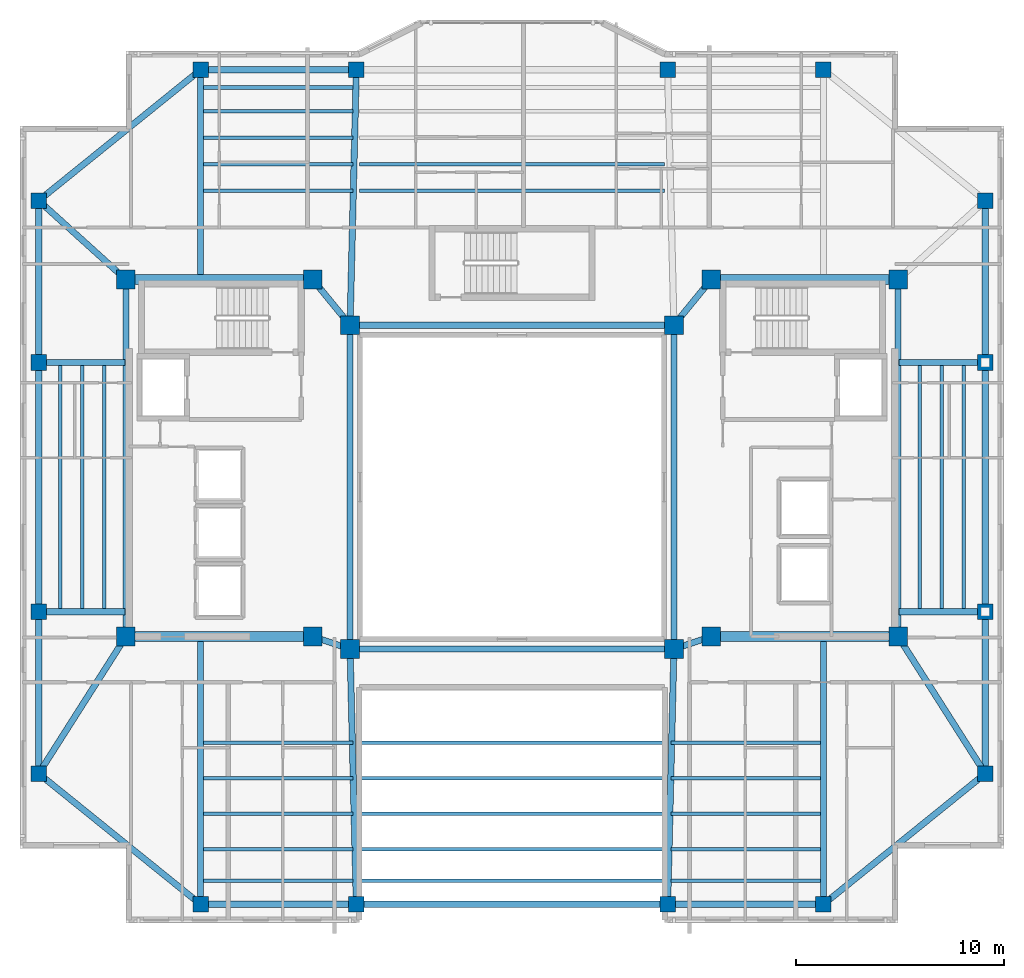
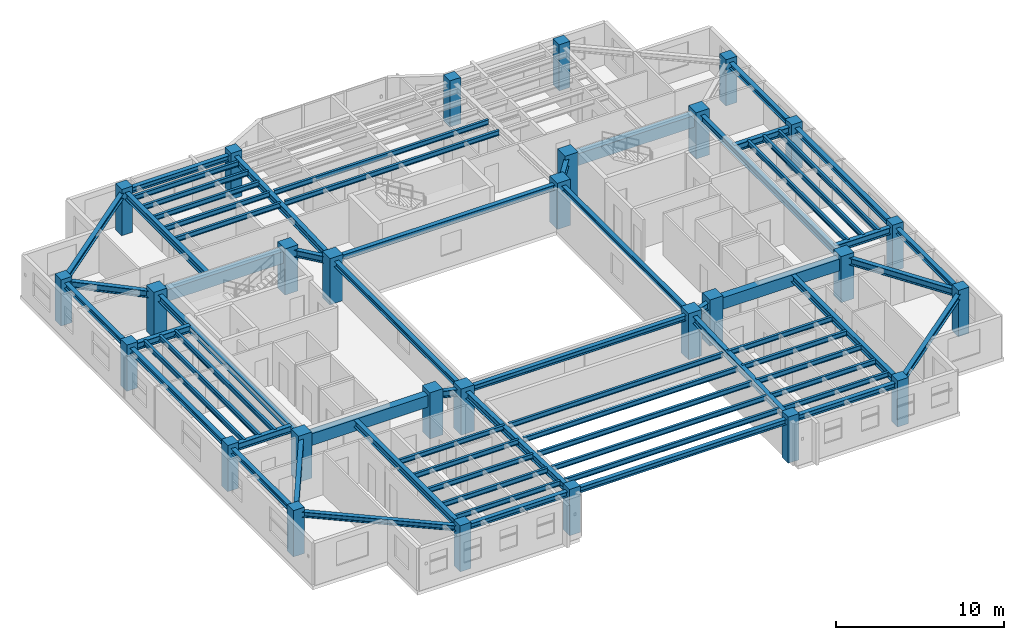
# One storey, part 1 of 13: 68 beams, 28 columns.
"""IFC4 building model written with IfcOpenShell, lengths in metres."""

from ifc_helpers import new_model, si_unit, direction, frame, origin, origin_2d, place, context, subcontext, project, spatial, rectangle, i_section, extrude, material, material_profile, profile_set, type_object, element, save


model = new_model("IFC4")

# Units and contexts
model_context = context("Model", 3, precision=1e-05, world=origin(), true_north=direction((0.0, 1.0)))
body_context = subcontext(model_context, "Body", "Model", "MODEL_VIEW")
ifc_project = project(units=[si_unit("LENGTHUNIT", "METRE"), si_unit("AREAUNIT", "SQUARE_METRE"), si_unit("VOLUMEUNIT", "CUBIC_METRE"), si_unit("PLANEANGLEUNIT", "RADIAN"), si_unit("MASSUNIT", "GRAM", prefix="KILO")], contexts=[model_context])

# Site, building, storey
site_placement = place(None, origin())
site = spatial("IfcSite", under=ifc_project, at=site_placement, CompositionType="ELEMENT")
building_placement = place(site_placement, origin())
building = spatial("IfcBuilding", under=site, at=building_placement, Name="Tarnavaz Court Tower", CompositionType="ELEMENT")
storey_placement = place(building_placement, frame((0.0, 0.0, 223.75)))
storey = spatial("IfcBuildingStorey", under=building, at=storey_placement, Name="L61", CompositionType="ELEMENT", Elevation=223.75)

# Columns
ifc_material_1 = material(Name="Concrete C50/60", Category="concrete")
ifc_material_profile_1 = material_profile(ifc_material_1, rectangle(XDim=0.75, YDim=0.75, at=origin_2d()), Name="RC 750X750")
ifc_profile_set_1 = profile_set([ifc_material_profile_1], Name="Concrete C50/60")
column_type_1 = type_object("IfcColumnType", Name="CL-RC750", PredefinedType="COLUMN", material=ifc_profile_set_1)
for number, where, z_axis, x_axis, name in (
    (1, (-15.0, 20.10009765625, 0.0), (0.0, 0.0, 1.0), (1.0, 0.0, 0.0), "L61 Column PN-1"),
    (2, (-7.5, 20.10009765625, 0.0), (0.0, 0.0, 1.0), (1.0, 0.0, 0.0), "L61 Column PN-2"),
    (3, (7.5, 20.10009765625, 0.0), (0.0, 0.0, 1.0), (1.0, 0.0, 0.0), "L61 Column PN-3"),
    (4, (15.0, 20.10009765625, 0.0), (0.0, 0.0, 1.0), (1.0, 0.0, 0.0), "L61 Column PN-4"),
    (5, (-15.0, -20.10009765625, 0.0), (0.0, 0.0, 1.0), (1.0, 0.0, 0.0), "L61 Column PS-1"),
    (6, (-7.5, -20.10009765625, 0.0), (0.0, 0.0, 1.0), (1.0, 0.0, 0.0), "L61 Column PS-2"),
    (7, (7.5, -20.10009765625, 0.0), (0.0, 0.0, 1.0), (1.0, 0.0, 0.0), "L61 Column PS-3"),
    (8, (15.0, -20.10009765625, 0.0), (0.0, 0.0, 1.0), (1.0, 0.0, 0.0), "L61 Column PS-4"),
    (9, (22.800048828125, -13.800048828125, 0.0), (0.0, 0.0, 1.0), (1.0, 0.0, 0.0), "L61 Column PE-1"),
    (10, (22.800048828125, -6.0, 0.0), (0.0, 0.0, 1.0), (1.0, 0.0, 0.0), "L61 Column PE-2"),
    (11, (22.800048828125, 6.0, 0.0), (0.0, 0.0, 1.0), (1.0, 0.0, 0.0), "L61 Column PE-3"),
    (12, (22.800048828125, 13.800048828125, 0.0), (0.0, 0.0, 1.0), (1.0, 0.0, 0.0), "L61 Column PE-4"),
    (13, (-22.800048828125, -13.800048828125, 0.0), (0.0, 0.0, 1.0), (1.0, 0.0, 0.0), "L61 Column PW-1"),
    (14, (-22.800048828125, -6.0, 0.0), (0.0, 0.0, 1.0), (1.0, 0.0, 0.0), "L61 Column PW-2"),
    (15, (-22.800048828125, 6.0, 0.0), (0.0, 0.0, 1.0), (1.0, 0.0, 0.0), "L61 Column PW-3"),
    (16, (-22.800048828125, 13.800048828125, 0.0), (0.0, 0.0, 1.0), (1.0, 0.0, 0.0), "L61 Column PW-4"),
):
    element("IfcColumn", number, at=place(storey_placement, frame(where, z_axis=z_axis, x_axis=x_axis)), inside=storey, type_object=column_type_1, Name=name, PredefinedType="COLUMN", context=body_context, shape_type="SweptSolid", body=[
        extrude(rectangle(XDim=0.75, YDim=0.75, at=origin_2d()), origin(), (0.0, 0.0, 1.0), 3.35009765625),
    ])
ifc_material_profile_2 = material_profile(ifc_material_1, rectangle(XDim=0.89990234375, YDim=0.89990234375, at=origin_2d()), Name="RC 900X900")
ifc_profile_set_2 = profile_set([ifc_material_profile_2], Name="Concrete C50/60")
column_type_2 = type_object("IfcColumnType", Name="CL-RC900", PredefinedType="COLUMN", material=ifc_profile_set_2)
for number, where, z_axis, x_axis, name in (
    (17, (-7.800048828125, -7.800048828125, 0.0), (0.0, 0.0, 1.0), (1.0, 0.0, 0.0), "L61 Column IW-SW"),
    (18, (7.800048828125, -7.800048828125, 0.0), (0.0, 0.0, 1.0), (1.0, 0.0, 0.0), "L61 Column IW-SE"),
    (19, (-7.800048828125, 7.800048828125, 0.0), (0.0, 0.0, 1.0), (1.0, 0.0, 0.0), "L61 Column IW-NW"),
    (20, (7.800048828125, 7.800048828125, 0.0), (0.0, 0.0, 1.0), (1.0, 0.0, 0.0), "L61 Column IW-NE"),
    (21, (-9.60009765625, -7.199951171875, 0.0), (0.0, 0.0, 1.0), (1.0, 0.0, 0.0), "L61 Column CW-SI"),
    (22, (-9.60009765625, 10.0, 0.0), (0.0, 0.0, 1.0), (1.0, 0.0, 0.0), "L61 Column CW-NI"),
    (23, (9.60009765625, -7.199951171875, 0.0), (0.0, 0.0, 1.0), (1.0, 0.0, 0.0), "L61 Column CE-SI"),
    (24, (9.60009765625, 10.0, 0.0), (0.0, 0.0, 1.0), (1.0, 0.0, 0.0), "L61 Column CE-NI"),
    (25, (-18.60009765625, -7.199951171875, 0.0), (0.0, 0.0, 1.0), (1.0, 0.0, 0.0), "L61 Column CW-SO"),
    (26, (-18.60009765625, 10.0, 0.0), (0.0, 0.0, 1.0), (1.0, 0.0, 0.0), "L61 Column CW-NO"),
    (27, (18.60009765625, -7.199951171875, 0.0), (0.0, 0.0, 1.0), (1.0, 0.0, 0.0), "L61 Column CE-SO"),
    (28, (18.60009765625, 10.0, 0.0), (0.0, 0.0, 1.0), (1.0, 0.0, 0.0), "L61 Column CE-NO"),
):
    element("IfcColumn", number, at=place(storey_placement, frame(where, z_axis=z_axis, x_axis=x_axis)), inside=storey, type_object=column_type_2, Name=name, PredefinedType="COLUMN", context=body_context, shape_type="SweptSolid", body=[
        extrude(rectangle(XDim=0.89990234375, YDim=0.89990234375, at=origin_2d()), origin(), (0.0, 0.0, 1.0), 3.35009765625),
    ])

# Beams
ifc_material_profile_3 = material_profile(ifc_material_1, rectangle(XDim=0.5, YDim=0.85009765625, at=origin_2d()), Name="RC 500X850")
ifc_profile_set_3 = profile_set([ifc_material_profile_3], Name="Concrete C50/60")
beam_type_1 = type_object("IfcBeamType", Name="BM-CB850", PredefinedType="LINTEL", material=ifc_profile_set_3)
for number, where, z_axis, x_axis, name in (
    (29, (-18.3798828125, -7.199951171875, 2.625), (1.0, 0.0, 0.0), (0.0, 1.0, 0.0), "L61 Beam IN-CW-SO-CW-SI"),
    (30, (-18.3798828125, 10.0, 2.625), (1.0, 0.0, 0.0), (0.0, 1.0, 0.0), "L61 Beam IN-CW-NO-CW-NI"),
    (31, (18.3798828125, -7.199951171875, 2.625), (-1.0, 0.0, 0.0), (0.0, -1.0, 0.0), "L61 Beam IN-CE-SO-CE-SI"),
    (32, (18.3798828125, 10.0, 2.625), (-1.0, 0.0, 0.0), (0.0, -1.0, 0.0), "L61 Beam IN-CE-NO-CE-NI"),
):
    element("IfcBeam", number, at=place(storey_placement, frame(where, z_axis=z_axis, x_axis=x_axis)), inside=storey, type_object=beam_type_1, Name=name, PredefinedType="LINTEL", context=body_context, shape_type="SweptSolid", body=[
        extrude(rectangle(XDim=0.5, YDim=0.85009765625, at=origin_2d()), origin(), (0.0, 0.0, 1.0), 8.559814453125),
    ])
ifc_material_2 = material(Name="Steel S355", Category="steel")
ifc_material_profile_4 = material_profile(ifc_material_2, i_section(OverallWidth=0.300048828125, OverallDepth=0.5, WebThickness=0.014404296875, FlangeThickness=0.028076171875, FilletRadius=0.027099609375, at=origin_2d()), Name="HEB 500")
ifc_profile_set_4 = profile_set([ifc_material_profile_4], Name="Steel S355")
beam_type_2 = type_object("IfcBeamType", Name="BM-G-HEB500", PredefinedType="USERDEFINED", material=ifc_profile_set_4)
for number, where, z_axis, x_axis, name in (
    (33, (-9.391357421875, -7.26953125, 2.800048828125), (0.948666544706, -0.316278021615, 0.0), (0.316278021615, 0.948666544706, 0.0), "L61 Beam IN-CW-SI-IW-SW"),
    (34, (9.391357421875, -7.26953125, 2.800048828125), (-0.948666544706, -0.316278021615, 0.0), (0.316278021615, -0.948666544706, 0.0), "L61 Beam IN-CE-SI-IW-SE"),
):
    element("IfcBeam", number, at=place(storey_placement, frame(where, z_axis=z_axis, x_axis=x_axis)), inside=storey, type_object=beam_type_2, Name=name, ObjectType="GIRDER", PredefinedType="USERDEFINED", context=body_context, shape_type="SweptSolid", body=[
        extrude(i_section(OverallWidth=0.300048828125, OverallDepth=0.5, WebThickness=0.014404296875, FlangeThickness=0.028076171875, FilletRadius=0.027099609375, at=origin_2d()), origin(), (0.0, 0.0, 1.0), 1.457275390625),
    ])
for number, where, z_axis, x_axis, name in (
    (35, (-9.460693359375, 9.82958984375, 2.800048828125), (0.633282058357, -0.773921077735, 0.0), (0.773921077735, 0.633282058357, 0.0), "L61 Beam IN-CW-NI-IW-NW"),
    (36, (9.460693359375, 9.82958984375, 2.800048828125), (-0.633282058357, -0.773921077735, 0.0), (0.773921077735, -0.633282058357, 0.0), "L61 Beam IN-CE-NI-IW-NE"),
):
    element("IfcBeam", number, at=place(storey_placement, frame(where, z_axis=z_axis, x_axis=x_axis)), inside=storey, type_object=beam_type_2, Name=name, ObjectType="GIRDER", PredefinedType="USERDEFINED", context=body_context, shape_type="SweptSolid", body=[
        extrude(i_section(OverallWidth=0.300048828125, OverallDepth=0.5, WebThickness=0.014404296875, FlangeThickness=0.028076171875, FilletRadius=0.027099609375, at=origin_2d()), origin(), (0.0, 0.0, 1.0), 2.402587890625),
    ])
for number, where, z_axis, x_axis, name in (
    (37, (-18.60009765625, -6.97998046875, 2.800048828125), (0.0, 1.0, 0.0), (-1.0, 0.0, 0.0), "L61 Beam IN-CW-SO-CW-NO"),
    (38, (18.60009765625, -6.97998046875, 2.800048828125), (0.0, 1.0, 0.0), (-1.0, 0.0, 0.0), "L61 Beam IN-CE-SO-CE-NO"),
):
    element("IfcBeam", number, at=place(storey_placement, frame(where, z_axis=z_axis, x_axis=x_axis)), inside=storey, type_object=beam_type_2, Name=name, ObjectType="GIRDER", PredefinedType="USERDEFINED", context=body_context, shape_type="SweptSolid", body=[
        extrude(i_section(OverallWidth=0.300048828125, OverallDepth=0.5, WebThickness=0.014404296875, FlangeThickness=0.028076171875, FilletRadius=0.027099609375, at=origin_2d()), origin(), (0.0, 0.0, 1.0), 16.760009765625),
    ])
beam_1_placement = place(storey_placement, frame((-15.0, 10.0400390625, 2.800048828125), z_axis=(0.0, 1.0, 0.0), x_axis=(-1.0, 0.0, 0.0)))
element("IfcBeam", 39, at=beam_1_placement, inside=storey, type_object=beam_type_2, Name="L61 Beam RG-01", ObjectType="GIRDER", PredefinedType="USERDEFINED", context=body_context, shape_type="SweptSolid", body=[
    extrude(i_section(OverallWidth=0.300048828125, OverallDepth=0.5, WebThickness=0.014404296875, FlangeThickness=0.028076171875, FilletRadius=0.027099609375, at=origin_2d()), origin(), (0.0, 0.0, 1.0), 9.83984375),
])
beam_2_placement = place(storey_placement, frame((-7.794677734375, 8.02001953125, 2.800048828125), z_axis=(0.024386002211, 0.99970261723, 0.0), x_axis=(-0.99970261723, 0.024386002211, 0.0)))
element("IfcBeam", 40, at=beam_2_placement, inside=storey, type_object=beam_type_2, Name="L61 Beam RG-02", ObjectType="GIRDER", PredefinedType="USERDEFINED", context=body_context, shape_type="SweptSolid", body=[
    extrude(i_section(OverallWidth=0.300048828125, OverallDepth=0.5, WebThickness=0.014404296875, FlangeThickness=0.028076171875, FilletRadius=0.027099609375, at=origin_2d()), origin(), (0.0, 0.0, 1.0), 11.863525390625),
])
beam_3_placement = place(storey_placement, frame((-15.0, -7.239990234375, 2.800048828125), z_axis=(0.0, -1.0, 0.0), x_axis=(1.0, 0.0, 0.0)))
element("IfcBeam", 41, at=beam_3_placement, inside=storey, type_object=beam_type_2, Name="L61 Beam RG-05", ObjectType="GIRDER", PredefinedType="USERDEFINED", context=body_context, shape_type="SweptSolid", body=[
    extrude(i_section(OverallWidth=0.300048828125, OverallDepth=0.5, WebThickness=0.014404296875, FlangeThickness=0.028076171875, FilletRadius=0.027099609375, at=origin_2d()), origin(), (0.0, 0.0, 1.0), 12.639892578125),
])
for number, where, z_axis, x_axis, name in (
    (42, (-7.794677734375, -8.02001953125, 2.800048828125), (0.024386002211, -0.99970261723, 0.0), (0.99970261723, 0.024386002211, 0.0), "L61 Beam RG-06"),
    (43, (7.794677734375, -8.02001953125, 2.800048828125), (-0.024386002211, -0.99970261723, 0.0), (0.99970261723, -0.024386002211, 0.0), "L61 Beam RG-07"),
):
    element("IfcBeam", number, at=place(storey_placement, frame(where, z_axis=z_axis, x_axis=x_axis)), inside=storey, type_object=beam_type_2, Name=name, ObjectType="GIRDER", PredefinedType="USERDEFINED", context=body_context, shape_type="SweptSolid", body=[
        extrude(i_section(OverallWidth=0.300048828125, OverallDepth=0.5, WebThickness=0.014404296875, FlangeThickness=0.028076171875, FilletRadius=0.027099609375, at=origin_2d()), origin(), (0.0, 0.0, 1.0), 11.863525390625),
    ])
beam_4_placement = place(storey_placement, frame((15.0, -7.239990234375, 2.800048828125), z_axis=(0.0, -1.0, 0.0), x_axis=(1.0, 0.0, 0.0)))
element("IfcBeam", 44, at=beam_4_placement, inside=storey, type_object=beam_type_2, Name="L61 Beam RG-08", ObjectType="GIRDER", PredefinedType="USERDEFINED", context=body_context, shape_type="SweptSolid", body=[
    extrude(i_section(OverallWidth=0.300048828125, OverallDepth=0.5, WebThickness=0.014404296875, FlangeThickness=0.028076171875, FilletRadius=0.027099609375, at=origin_2d()), origin(), (0.0, 0.0, 1.0), 12.639892578125),
])
for number, where, z_axis, x_axis, name in (
    (45, (18.639892578125, -6.0, 2.800048828125), (1.0, 0.0, 0.0), (0.0, 1.0, 0.0), "L61 Beam RG-09"),
    (46, (18.639892578125, 6.0, 2.800048828125), (1.0, 0.0, 0.0), (0.0, 1.0, 0.0), "L61 Beam RG-10"),
):
    element("IfcBeam", number, at=place(storey_placement, frame(where, z_axis=z_axis, x_axis=x_axis)), inside=storey, type_object=beam_type_2, Name=name, ObjectType="GIRDER", PredefinedType="USERDEFINED", context=body_context, shape_type="SweptSolid", body=[
        extrude(i_section(OverallWidth=0.300048828125, OverallDepth=0.5, WebThickness=0.014404296875, FlangeThickness=0.028076171875, FilletRadius=0.027099609375, at=origin_2d()), origin(), (0.0, 0.0, 1.0), 3.940185546875),
    ])
beam_5_placement = place(storey_placement, frame((18.718017578125, -7.385498046875, 2.800048828125), z_axis=(0.536871212964, -0.843664210863, 0.0), x_axis=(0.843664210863, 0.536871212964, 0.0)))
element("IfcBeam", 47, at=beam_5_placement, inside=storey, type_object=beam_type_2, Name="L61 Beam RG-11", ObjectType="GIRDER", PredefinedType="USERDEFINED", context=body_context, shape_type="SweptSolid", body=[
    extrude(i_section(OverallWidth=0.300048828125, OverallDepth=0.5, WebThickness=0.014404296875, FlangeThickness=0.028076171875, FilletRadius=0.027099609375, at=origin_2d()), origin(), (0.0, 0.0, 1.0), 7.38330078125),
])
for number, where, z_axis, x_axis, name in (
    (48, (-18.639892578125, -6.0, 2.800048828125), (-1.0, 0.0, 0.0), (0.0, -1.0, 0.0), "L61 Beam RG-13"),
    (49, (-18.639892578125, 6.0, 2.800048828125), (-1.0, 0.0, 0.0), (0.0, -1.0, 0.0), "L61 Beam RG-14"),
):
    element("IfcBeam", number, at=place(storey_placement, frame(where, z_axis=z_axis, x_axis=x_axis)), inside=storey, type_object=beam_type_2, Name=name, ObjectType="GIRDER", PredefinedType="USERDEFINED", context=body_context, shape_type="SweptSolid", body=[
        extrude(i_section(OverallWidth=0.300048828125, OverallDepth=0.5, WebThickness=0.014404296875, FlangeThickness=0.028076171875, FilletRadius=0.027099609375, at=origin_2d()), origin(), (0.0, 0.0, 1.0), 3.940185546875),
    ])
beam_6_placement = place(storey_placement, frame((-18.718017578125, -7.385498046875, 2.800048828125), z_axis=(-0.536871212964, -0.843664210863, 0.0), x_axis=(0.843664210863, -0.536871212964, 0.0)))
element("IfcBeam", 50, at=beam_6_placement, inside=storey, type_object=beam_type_2, Name="L61 Beam RG-15", ObjectType="GIRDER", PredefinedType="USERDEFINED", context=body_context, shape_type="SweptSolid", body=[
    extrude(i_section(OverallWidth=0.300048828125, OverallDepth=0.5, WebThickness=0.014404296875, FlangeThickness=0.028076171875, FilletRadius=0.027099609375, at=origin_2d()), origin(), (0.0, 0.0, 1.0), 7.38330078125),
])
beam_7_placement = place(storey_placement, frame((-18.76318359375, 10.147705078125, 2.800048828125), z_axis=(-0.741555708494, 0.670891296113, 0.0), x_axis=(-0.670891296113, -0.741555708494, 0.0)))
element("IfcBeam", 51, at=beam_7_placement, inside=storey, type_object=beam_type_2, Name="L61 Beam RG-16", ObjectType="GIRDER", PredefinedType="USERDEFINED", context=body_context, shape_type="SweptSolid", body=[
    extrude(i_section(OverallWidth=0.300048828125, OverallDepth=0.5, WebThickness=0.014404296875, FlangeThickness=0.028076171875, FilletRadius=0.027099609375, at=origin_2d()), origin(), (0.0, 0.0, 1.0), 5.223876953125),
])
ifc_material_profile_5 = material_profile(ifc_material_2, i_section(OverallWidth=0.169921875, OverallDepth=0.360107421875, WebThickness=0.008056640625, FlangeThickness=0.0126953125, FilletRadius=0.01806640625, at=origin_2d()), Name="IPE 360")
ifc_profile_set_5 = profile_set([ifc_material_profile_5], Name="Steel S355")
beam_type_3 = type_object("IfcBeamType", Name="BM-J-IPE360", PredefinedType="JOIST", material=ifc_profile_set_5)
beam_8_placement = place(storey_placement, frame((-14.85009765625, 14.278076171875, 2.8701171875), z_axis=(1.0, 0.0, 0.0), x_axis=(0.0, 1.0, 0.0)))
element("IfcBeam", 52, at=beam_8_placement, inside=storey, type_object=beam_type_3, Name="L61 Beam JN1-1", PredefinedType="JOIST", context=body_context, shape_type="SweptSolid", body=[
    extrude(i_section(OverallWidth=0.169921875, OverallDepth=0.360107421875, WebThickness=0.008056640625, FlangeThickness=0.0126953125, FilletRadius=0.01806640625, at=origin_2d()), origin(), (0.0, 0.0, 1.0), 7.2001953125),
])
beam_9_placement = place(storey_placement, frame((-7.35009765625, 14.278076171875, 2.8701171875), z_axis=(1.0, 0.0, 0.0), x_axis=(0.0, 1.0, 0.0)))
element("IfcBeam", 53, at=beam_9_placement, inside=storey, type_object=beam_type_3, Name="L61 Beam JN1-2", PredefinedType="JOIST", context=body_context, shape_type="SweptSolid", body=[
    extrude(i_section(OverallWidth=0.169921875, OverallDepth=0.360107421875, WebThickness=0.008056640625, FlangeThickness=0.0126953125, FilletRadius=0.01806640625, at=origin_2d()), origin(), (0.0, 0.0, 1.0), 14.7001953125),
])
beam_10_placement = place(storey_placement, frame((-14.85009765625, -12.31005859375, 2.8701171875), z_axis=(1.0, 0.0, 0.0), x_axis=(0.0, 1.0, 0.0)))
element("IfcBeam", 54, at=beam_10_placement, inside=storey, type_object=beam_type_3, Name="L61 Beam JS1-1", PredefinedType="JOIST", context=body_context, shape_type="SweptSolid", body=[
    extrude(i_section(OverallWidth=0.169921875, OverallDepth=0.360107421875, WebThickness=0.008056640625, FlangeThickness=0.0126953125, FilletRadius=0.01806640625, at=origin_2d()), origin(), (0.0, 0.0, 1.0), 7.2001953125),
])
beam_11_placement = place(storey_placement, frame((-7.35009765625, -12.31005859375, 2.8701171875), z_axis=(1.0, 0.0, 0.0), x_axis=(0.0, 1.0, 0.0)))
element("IfcBeam", 55, at=beam_11_placement, inside=storey, type_object=beam_type_3, Name="L61 Beam JS1-2", PredefinedType="JOIST", context=body_context, shape_type="SweptSolid", body=[
    extrude(i_section(OverallWidth=0.169921875, OverallDepth=0.360107421875, WebThickness=0.008056640625, FlangeThickness=0.0126953125, FilletRadius=0.01806640625, at=origin_2d()), origin(), (0.0, 0.0, 1.0), 14.7001953125),
])
for number, where, z_axis, x_axis, name in (
    (56, (7.64990234375, -12.31005859375, 2.8701171875), (1.0, 0.0, 0.0), (0.0, 1.0, 0.0), "L61 Beam JS1-3"),
    (57, (-14.85009765625, 15.555908203125, 2.8701171875), (1.0, 0.0, 0.0), (0.0, 1.0, 0.0), "L61 Beam JN2-1"),
):
    element("IfcBeam", number, at=place(storey_placement, frame(where, z_axis=z_axis, x_axis=x_axis)), inside=storey, type_object=beam_type_3, Name=name, PredefinedType="JOIST", context=body_context, shape_type="SweptSolid", body=[
        extrude(i_section(OverallWidth=0.169921875, OverallDepth=0.360107421875, WebThickness=0.008056640625, FlangeThickness=0.0126953125, FilletRadius=0.01806640625, at=origin_2d()), origin(), (0.0, 0.0, 1.0), 7.2001953125),
    ])
beam_12_placement = place(storey_placement, frame((-7.35009765625, 15.555908203125, 2.8701171875), z_axis=(1.0, 0.0, 0.0), x_axis=(0.0, 1.0, 0.0)))
element("IfcBeam", 58, at=beam_12_placement, inside=storey, type_object=beam_type_3, Name="L61 Beam JN2-2", PredefinedType="JOIST", context=body_context, shape_type="SweptSolid", body=[
    extrude(i_section(OverallWidth=0.169921875, OverallDepth=0.360107421875, WebThickness=0.008056640625, FlangeThickness=0.0126953125, FilletRadius=0.01806640625, at=origin_2d()), origin(), (0.0, 0.0, 1.0), 14.7001953125),
])
beam_13_placement = place(storey_placement, frame((-14.85009765625, -14.02001953125, 2.8701171875), z_axis=(1.0, 0.0, 0.0), x_axis=(0.0, 1.0, 0.0)))
element("IfcBeam", 59, at=beam_13_placement, inside=storey, type_object=beam_type_3, Name="L61 Beam JS2-1", PredefinedType="JOIST", context=body_context, shape_type="SweptSolid", body=[
    extrude(i_section(OverallWidth=0.169921875, OverallDepth=0.360107421875, WebThickness=0.008056640625, FlangeThickness=0.0126953125, FilletRadius=0.01806640625, at=origin_2d()), origin(), (0.0, 0.0, 1.0), 7.2001953125),
])
beam_14_placement = place(storey_placement, frame((-7.35009765625, -14.02001953125, 2.8701171875), z_axis=(1.0, 0.0, 0.0), x_axis=(0.0, 1.0, 0.0)))
element("IfcBeam", 60, at=beam_14_placement, inside=storey, type_object=beam_type_3, Name="L61 Beam JS2-2", PredefinedType="JOIST", context=body_context, shape_type="SweptSolid", body=[
    extrude(i_section(OverallWidth=0.169921875, OverallDepth=0.360107421875, WebThickness=0.008056640625, FlangeThickness=0.0126953125, FilletRadius=0.01806640625, at=origin_2d()), origin(), (0.0, 0.0, 1.0), 14.7001953125),
])
for number, where, z_axis, x_axis, name in (
    (61, (7.64990234375, -14.02001953125, 2.8701171875), (1.0, 0.0, 0.0), (0.0, 1.0, 0.0), "L61 Beam JS2-3"),
    (62, (-14.85009765625, 16.833984375, 2.8701171875), (1.0, 0.0, 0.0), (0.0, 1.0, 0.0), "L61 Beam JN3-1"),
    (63, (-14.85009765625, -15.72998046875, 2.8701171875), (1.0, 0.0, 0.0), (0.0, 1.0, 0.0), "L61 Beam JS3-1"),
):
    element("IfcBeam", number, at=place(storey_placement, frame(where, z_axis=z_axis, x_axis=x_axis)), inside=storey, type_object=beam_type_3, Name=name, PredefinedType="JOIST", context=body_context, shape_type="SweptSolid", body=[
        extrude(i_section(OverallWidth=0.169921875, OverallDepth=0.360107421875, WebThickness=0.008056640625, FlangeThickness=0.0126953125, FilletRadius=0.01806640625, at=origin_2d()), origin(), (0.0, 0.0, 1.0), 7.2001953125),
    ])
beam_15_placement = place(storey_placement, frame((-7.35009765625, -15.72998046875, 2.8701171875), z_axis=(1.0, 0.0, 0.0), x_axis=(0.0, 1.0, 0.0)))
element("IfcBeam", 64, at=beam_15_placement, inside=storey, type_object=beam_type_3, Name="L61 Beam JS3-2", PredefinedType="JOIST", context=body_context, shape_type="SweptSolid", body=[
    extrude(i_section(OverallWidth=0.169921875, OverallDepth=0.360107421875, WebThickness=0.008056640625, FlangeThickness=0.0126953125, FilletRadius=0.01806640625, at=origin_2d()), origin(), (0.0, 0.0, 1.0), 14.7001953125),
])
for number, where, z_axis, x_axis, name in (
    (65, (7.64990234375, -15.72998046875, 2.8701171875), (1.0, 0.0, 0.0), (0.0, 1.0, 0.0), "L61 Beam JS3-3"),
    (66, (-14.85009765625, 18.112060546875, 2.8701171875), (1.0, 0.0, 0.0), (0.0, 1.0, 0.0), "L61 Beam JN4-1"),
    (67, (-14.85009765625, -17.43994140625, 2.8701171875), (1.0, 0.0, 0.0), (0.0, 1.0, 0.0), "L61 Beam JS4-1"),
):
    element("IfcBeam", number, at=place(storey_placement, frame(where, z_axis=z_axis, x_axis=x_axis)), inside=storey, type_object=beam_type_3, Name=name, PredefinedType="JOIST", context=body_context, shape_type="SweptSolid", body=[
        extrude(i_section(OverallWidth=0.169921875, OverallDepth=0.360107421875, WebThickness=0.008056640625, FlangeThickness=0.0126953125, FilletRadius=0.01806640625, at=origin_2d()), origin(), (0.0, 0.0, 1.0), 7.2001953125),
    ])
beam_16_placement = place(storey_placement, frame((-7.35009765625, -17.43994140625, 2.8701171875), z_axis=(1.0, 0.0, 0.0), x_axis=(0.0, 1.0, 0.0)))
element("IfcBeam", 68, at=beam_16_placement, inside=storey, type_object=beam_type_3, Name="L61 Beam JS4-2", PredefinedType="JOIST", context=body_context, shape_type="SweptSolid", body=[
    extrude(i_section(OverallWidth=0.169921875, OverallDepth=0.360107421875, WebThickness=0.008056640625, FlangeThickness=0.0126953125, FilletRadius=0.01806640625, at=origin_2d()), origin(), (0.0, 0.0, 1.0), 14.7001953125),
])
for number, where, z_axis, x_axis, name in (
    (69, (7.64990234375, -17.43994140625, 2.8701171875), (1.0, 0.0, 0.0), (0.0, 1.0, 0.0), "L61 Beam JS4-3"),
    (70, (-14.85009765625, 19.248046875, 2.8701171875), (1.0, 0.0, 0.0), (0.0, 1.0, 0.0), "L61 Beam JN5-1"),
    (71, (-14.85009765625, -18.9599609375, 2.8701171875), (1.0, 0.0, 0.0), (0.0, 1.0, 0.0), "L61 Beam JS5-1"),
):
    element("IfcBeam", number, at=place(storey_placement, frame(where, z_axis=z_axis, x_axis=x_axis)), inside=storey, type_object=beam_type_3, Name=name, PredefinedType="JOIST", context=body_context, shape_type="SweptSolid", body=[
        extrude(i_section(OverallWidth=0.169921875, OverallDepth=0.360107421875, WebThickness=0.008056640625, FlangeThickness=0.0126953125, FilletRadius=0.01806640625, at=origin_2d()), origin(), (0.0, 0.0, 1.0), 7.2001953125),
    ])
beam_17_placement = place(storey_placement, frame((-7.35009765625, -18.9599609375, 2.8701171875), z_axis=(1.0, 0.0, 0.0), x_axis=(0.0, 1.0, 0.0)))
element("IfcBeam", 72, at=beam_17_placement, inside=storey, type_object=beam_type_3, Name="L61 Beam JS5-2", PredefinedType="JOIST", context=body_context, shape_type="SweptSolid", body=[
    extrude(i_section(OverallWidth=0.169921875, OverallDepth=0.360107421875, WebThickness=0.008056640625, FlangeThickness=0.0126953125, FilletRadius=0.01806640625, at=origin_2d()), origin(), (0.0, 0.0, 1.0), 14.7001953125),
])
beam_18_placement = place(storey_placement, frame((7.64990234375, -18.9599609375, 2.8701171875), z_axis=(1.0, 0.0, 0.0), x_axis=(0.0, 1.0, 0.0)))
element("IfcBeam", 73, at=beam_18_placement, inside=storey, type_object=beam_type_3, Name="L61 Beam JS5-3", PredefinedType="JOIST", context=body_context, shape_type="SweptSolid", body=[
    extrude(i_section(OverallWidth=0.169921875, OverallDepth=0.360107421875, WebThickness=0.008056640625, FlangeThickness=0.0126953125, FilletRadius=0.01806640625, at=origin_2d()), origin(), (0.0, 0.0, 1.0), 7.2001953125),
])
for number, where, z_axis, x_axis, name in (
    (74, (19.64990234375, -5.9599609375, 2.8701171875), (0.0, 1.0, 0.0), (-1.0, 0.0, 0.0), "L61 Beam JE1"),
    (75, (-19.64990234375, -5.9599609375, 2.8701171875), (0.0, 1.0, 0.0), (-1.0, 0.0, 0.0), "L61 Beam JW1"),
    (76, (20.699951171875, -5.9599609375, 2.8701171875), (0.0, 1.0, 0.0), (-1.0, 0.0, 0.0), "L61 Beam JE2"),
    (77, (-20.699951171875, -5.9599609375, 2.8701171875), (0.0, 1.0, 0.0), (-1.0, 0.0, 0.0), "L61 Beam JW2"),
    (78, (21.75, -5.9599609375, 2.8701171875), (0.0, 1.0, 0.0), (-1.0, 0.0, 0.0), "L61 Beam JE3"),
    (79, (-21.75, -5.9599609375, 2.8701171875), (0.0, 1.0, 0.0), (-1.0, 0.0, 0.0), "L61 Beam JW3"),
):
    element("IfcBeam", number, at=place(storey_placement, frame(where, z_axis=z_axis, x_axis=x_axis)), inside=storey, type_object=beam_type_3, Name=name, PredefinedType="JOIST", context=body_context, shape_type="SweptSolid", body=[
        extrude(i_section(OverallWidth=0.169921875, OverallDepth=0.360107421875, WebThickness=0.008056640625, FlangeThickness=0.0126953125, FilletRadius=0.01806640625, at=origin_2d()), origin(), (0.0, 0.0, 1.0), 11.919921875),
    ])
ifc_material_profile_6 = material_profile(ifc_material_2, i_section(OverallWidth=0.300048828125, OverallDepth=0.389892578125, WebThickness=0.010986328125, FlangeThickness=0.01904296875, FilletRadius=0.027099609375, at=origin_2d()), Name="HEA 400")
ifc_profile_set_6 = profile_set([ifc_material_profile_6], Name="Steel S355")
beam_type_4 = type_object("IfcBeamType", Name="BM-SP-HEA400", PredefinedType="BEAM", material=ifc_profile_set_6)
for number, where, z_axis, x_axis, name in (
    (80, (-7.580078125, -7.800048828125, 2.85498046875), (1.0, 0.0, 0.0), (0.0, 1.0, 0.0), "L61 Beam IN-IW-SW-IW-SE"),
    (81, (-7.580078125, 7.800048828125, 2.85498046875), (1.0, 0.0, 0.0), (0.0, 1.0, 0.0), "L61 Beam IN-IW-NW-IW-NE"),
    (82, (-7.800048828125, -7.580078125, 2.85498046875), (0.0, 1.0, 0.0), (-1.0, 0.0, 0.0), "L61 Beam IN-IW-SW-IW-NW"),
    (83, (7.800048828125, -7.580078125, 2.85498046875), (0.0, 1.0, 0.0), (-1.0, 0.0, 0.0), "L61 Beam IN-IW-SE-IW-NE"),
):
    element("IfcBeam", number, at=place(storey_placement, frame(where, z_axis=z_axis, x_axis=x_axis)), inside=storey, type_object=beam_type_4, Name=name, PredefinedType="BEAM", context=body_context, shape_type="SweptSolid", body=[
        extrude(i_section(OverallWidth=0.300048828125, OverallDepth=0.389892578125, WebThickness=0.010986328125, FlangeThickness=0.01904296875, FilletRadius=0.027099609375, at=origin_2d()), origin(), (0.0, 0.0, 1.0), 15.16015625),
    ])
for number, where, z_axis, x_axis, name in (
    (84, (-14.780029296875, 20.10009765625, 2.85498046875), (1.0, 0.0, 0.0), (0.0, 1.0, 0.0), "L61 Beam PR-PN-1-PN-2"),
    (85, (-14.780029296875, -20.10009765625, 2.85498046875), (1.0, 0.0, 0.0), (0.0, 1.0, 0.0), "L61 Beam PR-PS-1-PS-2"),
):
    element("IfcBeam", number, at=place(storey_placement, frame(where, z_axis=z_axis, x_axis=x_axis)), inside=storey, type_object=beam_type_4, Name=name, PredefinedType="BEAM", context=body_context, shape_type="SweptSolid", body=[
        extrude(i_section(OverallWidth=0.300048828125, OverallDepth=0.389892578125, WebThickness=0.010986328125, FlangeThickness=0.01904296875, FilletRadius=0.027099609375, at=origin_2d()), origin(), (0.0, 0.0, 1.0), 7.06005859375),
    ])
beam_19_placement = place(storey_placement, frame((-7.280029296875, -20.10009765625, 2.85498046875), z_axis=(1.0, 0.0, 0.0), x_axis=(0.0, 1.0, 0.0)))
element("IfcBeam", 86, at=beam_19_placement, inside=storey, type_object=beam_type_4, Name="L61 Beam PR-PS-2-PS-3", PredefinedType="BEAM", context=body_context, shape_type="SweptSolid", body=[
    extrude(i_section(OverallWidth=0.300048828125, OverallDepth=0.389892578125, WebThickness=0.010986328125, FlangeThickness=0.01904296875, FilletRadius=0.027099609375, at=origin_2d()), origin(), (0.0, 0.0, 1.0), 14.56005859375),
])
beam_20_placement = place(storey_placement, frame((7.719970703125, -20.10009765625, 2.85498046875), z_axis=(1.0, 0.0, 0.0), x_axis=(0.0, 1.0, 0.0)))
element("IfcBeam", 87, at=beam_20_placement, inside=storey, type_object=beam_type_4, Name="L61 Beam PR-PS-3-PS-4", PredefinedType="BEAM", context=body_context, shape_type="SweptSolid", body=[
    extrude(i_section(OverallWidth=0.300048828125, OverallDepth=0.389892578125, WebThickness=0.010986328125, FlangeThickness=0.01904296875, FilletRadius=0.027099609375, at=origin_2d()), origin(), (0.0, 0.0, 1.0), 7.06005859375),
])
beam_21_placement = place(storey_placement, frame((22.800048828125, -13.580078125, 2.85498046875), z_axis=(0.0, 1.0, 0.0), x_axis=(-1.0, 0.0, 0.0)))
element("IfcBeam", 88, at=beam_21_placement, inside=storey, type_object=beam_type_4, Name="L61 Beam PR-PE-1-PE-2", PredefinedType="BEAM", context=body_context, shape_type="SweptSolid", body=[
    extrude(i_section(OverallWidth=0.300048828125, OverallDepth=0.389892578125, WebThickness=0.010986328125, FlangeThickness=0.01904296875, FilletRadius=0.027099609375, at=origin_2d()), origin(), (0.0, 0.0, 1.0), 7.360107421875),
])
beam_22_placement = place(storey_placement, frame((22.800048828125, -5.780029296875, 2.85498046875), z_axis=(0.0, 1.0, 0.0), x_axis=(-1.0, 0.0, 0.0)))
element("IfcBeam", 89, at=beam_22_placement, inside=storey, type_object=beam_type_4, Name="L61 Beam PR-PE-2-PE-3", PredefinedType="BEAM", context=body_context, shape_type="SweptSolid", body=[
    extrude(i_section(OverallWidth=0.300048828125, OverallDepth=0.389892578125, WebThickness=0.010986328125, FlangeThickness=0.01904296875, FilletRadius=0.027099609375, at=origin_2d()), origin(), (0.0, 0.0, 1.0), 11.56005859375),
])
for number, where, z_axis, x_axis, name in (
    (90, (22.800048828125, 6.219970703125, 2.85498046875), (0.0, 1.0, 0.0), (-1.0, 0.0, 0.0), "L61 Beam PR-PE-3-PE-4"),
    (91, (-22.800048828125, -13.580078125, 2.85498046875), (0.0, 1.0, 0.0), (-1.0, 0.0, 0.0), "L61 Beam PR-PW-1-PW-2"),
):
    element("IfcBeam", number, at=place(storey_placement, frame(where, z_axis=z_axis, x_axis=x_axis)), inside=storey, type_object=beam_type_4, Name=name, PredefinedType="BEAM", context=body_context, shape_type="SweptSolid", body=[
        extrude(i_section(OverallWidth=0.300048828125, OverallDepth=0.389892578125, WebThickness=0.010986328125, FlangeThickness=0.01904296875, FilletRadius=0.027099609375, at=origin_2d()), origin(), (0.0, 0.0, 1.0), 7.360107421875),
    ])
beam_23_placement = place(storey_placement, frame((-22.800048828125, -5.780029296875, 2.85498046875), z_axis=(0.0, 1.0, 0.0), x_axis=(-1.0, 0.0, 0.0)))
element("IfcBeam", 92, at=beam_23_placement, inside=storey, type_object=beam_type_4, Name="L61 Beam PR-PW-2-PW-3", PredefinedType="BEAM", context=body_context, shape_type="SweptSolid", body=[
    extrude(i_section(OverallWidth=0.300048828125, OverallDepth=0.389892578125, WebThickness=0.010986328125, FlangeThickness=0.01904296875, FilletRadius=0.027099609375, at=origin_2d()), origin(), (0.0, 0.0, 1.0), 11.56005859375),
])
beam_24_placement = place(storey_placement, frame((-22.800048828125, 6.219970703125, 2.85498046875), z_axis=(0.0, 1.0, 0.0), x_axis=(-1.0, 0.0, 0.0)))
element("IfcBeam", 93, at=beam_24_placement, inside=storey, type_object=beam_type_4, Name="L61 Beam PR-PW-3-PW-4", PredefinedType="BEAM", context=body_context, shape_type="SweptSolid", body=[
    extrude(i_section(OverallWidth=0.300048828125, OverallDepth=0.389892578125, WebThickness=0.010986328125, FlangeThickness=0.01904296875, FilletRadius=0.027099609375, at=origin_2d()), origin(), (0.0, 0.0, 1.0), 7.360107421875),
])
for number, where, z_axis, x_axis, name in (
    (94, (22.62890625, -13.938232421875, 2.85498046875), (-0.777935913531, -0.628343627674, 0.0), (0.628343627674, -0.777935913531, 0.0), "L61 Beam PR-PE-1-PS-4"),
    (95, (-15.171142578125, -19.9619140625, 2.85498046875), (-0.777935913531, 0.628343627674, 0.0), (-0.628343627674, -0.777935913531, 0.0), "L61 Beam PR-PS-1-PW-1"),
    (96, (-22.62890625, 13.938232421875, 2.85498046875), (0.777935913531, 0.628343627674, 0.0), (-0.628343627674, 0.777935913531, 0.0), "L61 Beam PR-PW-4-PN-1"),
):
    element("IfcBeam", number, at=place(storey_placement, frame(where, z_axis=z_axis, x_axis=x_axis)), inside=storey, type_object=beam_type_4, Name=name, PredefinedType="BEAM", context=body_context, shape_type="SweptSolid", body=[
        extrude(i_section(OverallWidth=0.300048828125, OverallDepth=0.389892578125, WebThickness=0.010986328125, FlangeThickness=0.01904296875, FilletRadius=0.027099609375, at=origin_2d()), origin(), (0.0, 0.0, 1.0), 9.586669921875),
    ])

save(model, "model.ifc")
